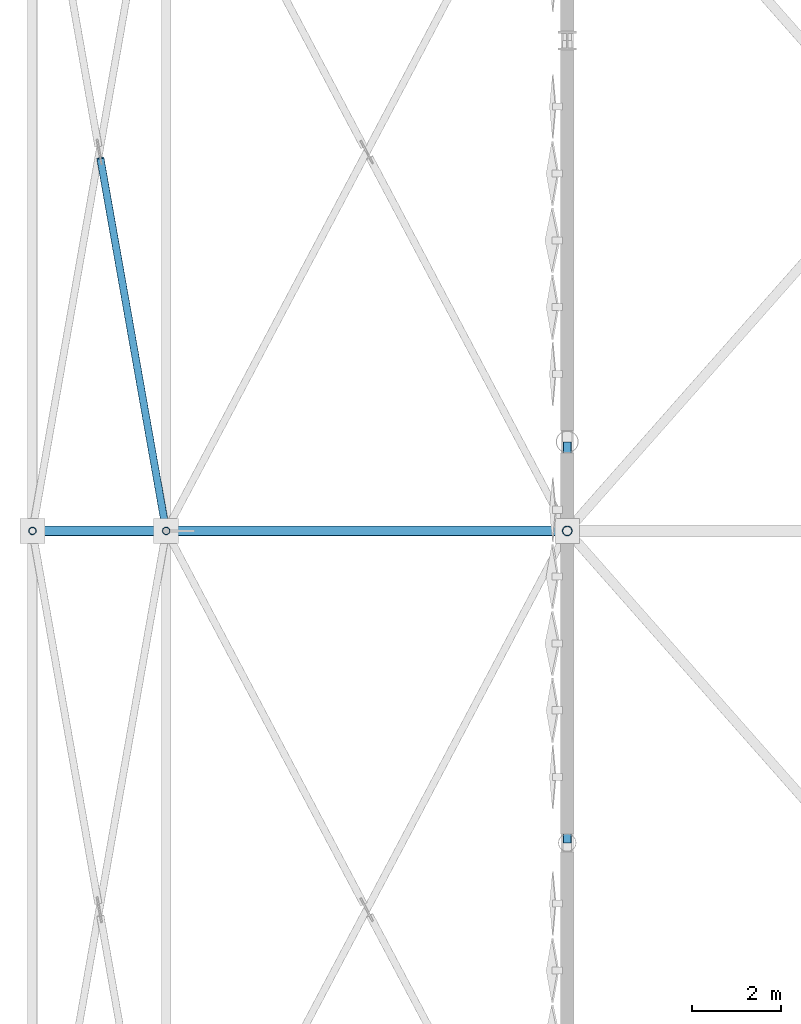
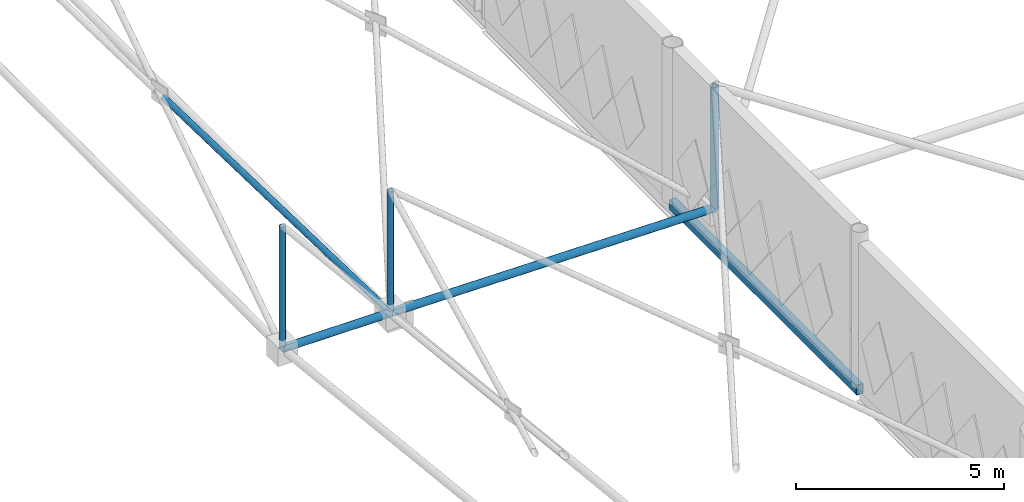
# One storey, part 33 of 224: 6 members, 1 beam.
"""IFC4 building model written with IfcOpenShell, lengths in metres."""

import ifcopenshell
import ifcopenshell.guid

model = None  # the IFC model being written
_history = None  # IfcOwnerHistory: only IFC2X3 demands one
_inside = {}  # id of a spatial element -> (the spatial element, [elements in it])
_under = {}  # id of a project, library or spatial element -> (it, [spatial elements below it])
_declared = {}  # id of a project -> (the project, [libraries it declares])
_typed = {}  # id of a type object -> (the type object, [elements of that type])
_made_of = {}  # id of a material, layer set ... -> (it, [elements and type objects made of it])


def new_model(schema):
    """Start an empty IFC model of exactly this schema.

    Asked for "IFC4X3", IfcOpenShell would pick the latest addendum, in which some entities
    have other attributes; the version numbers below select the first issue.
    IFC2X3 requires an IfcOwnerHistory on every rooted entity: one is made here for all.
    """
    global model, _history
    if schema == "IFC4X3":
        model = ifcopenshell.file(schema_version=(4, 3, 0, 0))
    else:
        model = ifcopenshell.file(schema=schema)
    _inside.clear()
    _under.clear()
    _declared.clear()
    _typed.clear()
    _made_of.clear()
    _history = None
    if model.schema == "IFC2X3":
        org = make("IfcOrganization", Name="unknown")
        user = make(
            "IfcPersonAndOrganization",
            ThePerson=make("IfcPerson", FamilyName="unknown"),
            TheOrganization=org,
        )
        app = make(
            "IfcApplication",
            ApplicationDeveloper=org,
            Version="unknown",
            ApplicationFullName="unknown",
            ApplicationIdentifier="unknown",
        )
        _history = make(
            "IfcOwnerHistory",
            OwningUser=user,
            OwningApplication=app,
            ChangeAction="ADDED",
            CreationDate=0,
        )
    return model


def make(cls, **values):
    """One entity of the class cls with the attributes given. An attribute that is None is left unset."""
    return model.create_entity(
        cls, **{name: value for name, value in values.items() if value is not None}
    )


def rooted(cls, **values):
    """An entity with a GlobalId (a new one), such as an element, a storey or a relation."""
    return make(cls, GlobalId=ifcopenshell.guid.new(), OwnerHistory=_history, **values)


def si_unit(unit_type, name, prefix=None):
    """IfcSIUnit, for example si_unit("LENGTHUNIT", "METRE", prefix="MILLI")."""
    return make("IfcSIUnit", UnitType=unit_type, Prefix=prefix, Name=name)


def assignment(units):
    """IfcUnitAssignment: the units of a project."""
    return None if units is None else make("IfcUnitAssignment", Units=units)


def point(xyz):
    """IfcCartesianPoint."""
    return None if xyz is None else make("IfcCartesianPoint", Coordinates=xyz)


def direction(xyz):
    """IfcDirection."""
    return None if xyz is None else make("IfcDirection", DirectionRatios=xyz)


def frame(location, z_axis=None, x_axis=None):
    """IfcAxis2Placement3D, a coordinate frame: its origin and axes. An axis left out is left unset."""
    return make(
        "IfcAxis2Placement3D",
        Location=point(location),
        Axis=direction(z_axis),
        RefDirection=direction(x_axis),
    )


def frame_2d(location, x_axis=None):
    """IfcAxis2Placement2D, a coordinate frame in the plane: its origin and x axis."""
    return make(
        "IfcAxis2Placement2D", Location=point(location), RefDirection=direction(x_axis)
    )


def origin():
    """The frame at (0, 0, 0) with its axes left unset."""
    return frame((0.0, 0.0, 0.0))


def origin_2d():
    """The frame at (0, 0) in the plane with its x axis left unset."""
    return frame_2d((0.0, 0.0))


def place(relative_to, where):
    """IfcLocalPlacement: puts the frame where relative to a parent placement (None: the world)."""
    return make(
        "IfcLocalPlacement", PlacementRelTo=relative_to, RelativePlacement=where
    )


def context(
    kind, dimensions, precision=None, world=None, true_north=None, identifier=None
):
    """IfcGeometricRepresentationContext, for example the 3D "Model" context."""
    return make(
        "IfcGeometricRepresentationContext",
        ContextIdentifier=identifier,
        ContextType=kind,
        CoordinateSpaceDimension=dimensions,
        Precision=precision,
        WorldCoordinateSystem=world,
        TrueNorth=true_north,
    )


def subcontext(parent, identifier, kind, view, scale=None):
    """IfcGeometricRepresentationSubContext, for example "Body" below "Model"."""
    return make(
        "IfcGeometricRepresentationSubContext",
        ContextIdentifier=identifier,
        ContextType=kind,
        ParentContext=parent,
        TargetScale=scale,
        TargetView=view,
    )


def project(units=None, contexts=None):
    """IfcProject with its units and contexts."""
    return rooted(
        "IfcProject",
        Name="project",
        RepresentationContexts=contexts,
        UnitsInContext=assignment(units),
    )


def spatial(cls, under=None, at=None, **own):
    """A site, building, storey or space (cls), placed at a placement, below another one or the project."""
    s = rooted(cls, ObjectPlacement=at, **own)
    if under is not None:
        _under.setdefault(under.id(), (under, []))[1].append(s)
    return s


def profile(cls, at=None, kind="AREA", **sizes):
    """A parametric profile (cls). Its sizes go by their IFC names, for example OverallWidth=200.0."""
    return make(cls, ProfileType=kind, Position=at, **sizes)


def hollow_rectangle(**sizes):
    """IfcRectangleHollowProfileDef."""
    return profile("IfcRectangleHollowProfileDef", **sizes)


def hollow_circle(**sizes):
    """IfcCircleHollowProfileDef."""
    return profile("IfcCircleHollowProfileDef", **sizes)


def extrude(swept, where, along, depth):
    """IfcExtrudedAreaSolid: the profile swept, set in the frame where, extruded along a direction by depth."""
    return make(
        "IfcExtrudedAreaSolid",
        SweptArea=swept,
        Position=where,
        ExtrudedDirection=direction(along),
        Depth=depth,
    )


def shape(context_of_items, identifier, shape_type, items):
    """IfcShapeRepresentation: the items that make up one representation, for example the "Body"."""
    return make(
        "IfcShapeRepresentation",
        ContextOfItems=context_of_items,
        RepresentationIdentifier=identifier,
        RepresentationType=shape_type,
        Items=items,
    )


def material(Name=None, Category=None):
    """IfcMaterial."""
    return make("IfcMaterial", Name=Name, Category=Category)


def material_profile(
    of_material, cross_section, Name=None, Category=None, Priority=None
):
    """IfcMaterialProfile: a cross section and its material."""
    return make(
        "IfcMaterialProfile",
        Name=Name,
        Material=of_material,
        Profile=cross_section,
        Priority=Priority,
        Category=Category,
    )


def profile_set(profiles, Name=None, composite=None):
    """IfcMaterialProfileSet."""
    return make(
        "IfcMaterialProfileSet",
        Name=Name,
        MaterialProfiles=profiles,
        CompositeProfile=composite,
    )


def made_of(thing, what):
    """Note that an element or type object is made of a material, layer set ...; save() writes the relation."""
    if what is not None:
        _made_of.setdefault(what.id(), (what, []))[1].append(thing)
    return thing


def type_object(cls, material=None, **own):
    """A type object (cls), such as IfcWallType, which elements share."""
    return made_of(rooted(cls, **own), material)


def element(
    cls,
    number,
    at=None,
    inside=None,
    cuts=None,
    type_object=None,
    material=None,
    context=None,
    identifier="Body",
    shape_type=None,
    held_by="IfcProductDefinitionShape",
    body=None,
    shapes=None,
    **own,
):
    """One element of the class cls, such as IfcWall. Its Tag is "e" and its number.

    at: its placement. inside: the storey or other place that contains it. cuts: it is an
    opening in that element (IfcRelVoidsElement). A single representation is given by context,
    identifier, shape_type and body (its items); several are given by shapes. held_by: the class
    of the entity that holds the representations. save() writes the other relations.
    """
    e = rooted(cls, Tag="e%d" % number, ObjectPlacement=at, **own)
    if body is not None:
        shapes = [shape(context, identifier, shape_type, body)]
    if shapes is not None:
        e.Representation = make(held_by, Representations=shapes)
    if inside is not None:
        _inside.setdefault(inside.id(), (inside, []))[1].append(e)
    if cuts is not None:
        rooted(
            "IfcRelVoidsElement", RelatingBuildingElement=cuts, RelatedOpeningElement=e
        )
    if type_object is not None:
        _typed.setdefault(type_object.id(), (type_object, []))[1].append(e)
    return made_of(e, material)


def aggregate(whole, parts):
    """IfcRelAggregates: a whole, such as a stair, and the parts it consists of."""
    return rooted("IfcRelAggregates", RelatingObject=whole, RelatedObjects=parts)


def save(model, path):
    """Write the relations noted so far, then the file.

    IfcRelAggregates (storeys below a building ...), IfcRelContainedInSpatialStructure (elements
    in a storey), IfcRelDefinesByType, IfcRelAssociatesMaterial and IfcRelDeclares: one each for
    every whole, place, type object, material and project.
    """
    for whole, parts in _under.values():
        aggregate(whole, parts)
    for where, things in _inside.values():
        rooted(
            "IfcRelContainedInSpatialStructure",
            RelatedElements=things,
            RelatingStructure=where,
        )
    for kind, things in _typed.values():
        rooted("IfcRelDefinesByType", RelatedObjects=things, RelatingType=kind)
    for what, things in _made_of.values():
        rooted("IfcRelAssociatesMaterial", RelatedObjects=things, RelatingMaterial=what)
    for by, libraries in _declared.values():
        rooted("IfcRelDeclares", RelatingContext=by, RelatedDefinitions=libraries)
    model.write(path)


model = new_model("IFC4")

# Units and contexts
model_context = context("Model", 3, precision=1e-05, world=origin(), true_north=direction((0.0, 1.0)))
body_context = subcontext(model_context, "Body", "Model", "MODEL_VIEW")
ifc_project = project(units=[si_unit("LENGTHUNIT", "METRE"), si_unit("AREAUNIT", "SQUARE_METRE"), si_unit("VOLUMEUNIT", "CUBIC_METRE"), si_unit("PLANEANGLEUNIT", "RADIAN"), si_unit("MASSUNIT", "GRAM", prefix="KILO")], contexts=[model_context])

# Site, building, storey
site_placement = place(None, origin())
site = spatial("IfcSite", under=ifc_project, at=site_placement, CompositionType="ELEMENT")
building_placement = place(site_placement, origin())
building = spatial("IfcBuilding", under=site, at=building_placement, Name="Qamarlyn Nura Convention Centre", CompositionType="ELEMENT")
storey_placement = place(building_placement, frame((0.0, 0.0, 10.800048828125)))
storey = spatial("IfcBuildingStorey", under=building, at=storey_placement, Name="L02", CompositionType="ELEMENT", Elevation=10.800048828125)

# Beam
ifc_material_1 = material(Name="Steel ASTM A500 Grade C", Category="steel")
ifc_material_profile_1 = material_profile(ifc_material_1, hollow_rectangle(XDim=0.199951171875, YDim=0.300048828125, WallThickness=0.012451171875, InnerFilletRadius=0.012451171875, OuterFilletRadius=0.02490234375, at=origin_2d()), Name="HSS300X200X12.5")
ifc_profile_set_1 = profile_set([ifc_material_profile_1], Name="Steel ASTM A500 Grade C")
beam_type = type_object("IfcBeamType", Name="BM-SPAN-HSS", PredefinedType="SPANDREL", material=ifc_profile_set_1)
beam_placement = place(storey_placement, frame((0.0, 45.0, -0.150146484375), z_axis=(0.0, 1.0, 0.0), x_axis=(-1.0, 0.0, 0.0)))
element("IfcBeam", 1, at=beam_placement, inside=storey, type_object=beam_type, Name="L02 girder 1 F-G", PredefinedType="SPANDREL", context=body_context, shape_type="SweptSolid", body=[
    extrude(hollow_rectangle(XDim=0.199951171875, YDim=0.300048828125, WallThickness=0.012451171875, InnerFilletRadius=0.012451171875, OuterFilletRadius=0.02490234375, at=origin_2d()), origin(), (0.0, 0.0, 1.0), 9.0),
])

# Members
ifc_material_2 = material(Name="Pearl-white PVDF steel ASTM A500 Grade C", Category="steel")
ifc_material_profile_2 = material_profile(ifc_material_2, hollow_circle(Radius=0.109619140625, WallThickness=0.010009765625, at=origin_2d()), Name="CHS219.1X10")
ifc_profile_set_2 = profile_set([ifc_material_profile_2], Name="Pearl-white PVDF steel ASTM A500 Grade C")
member_type_1 = type_object("IfcMemberType", Name="SF-BC-EAVE", PredefinedType="CHORD", material=ifc_profile_set_2)
member_1_placement = place(storey_placement, frame((-12.0, 52.0, 1.0107421875), z_axis=(0.999998539689, 0.0, -0.001708981879), x_axis=(0.0, 1.0, 0.0)))
element("IfcMember", 2, at=member_1_placement, inside=storey, type_object=member_type_1, Name="ROOF TRUSS space frame bottom chord X0-4", PredefinedType="CHORD", context=body_context, shape_type="SweptSolid", body=[
    extrude(hollow_circle(Radius=0.109619140625, WallThickness=0.010009765625, at=origin_2d()), origin(), (0.0, 0.0, 1.0), 3.0),
])
member_2_placement = place(storey_placement, frame((-9.0, 52.0, 1.005615234375), z_axis=(0.999971155543, 0.0, -0.007595267023), x_axis=(0.0, 1.0, 0.0)))
element("IfcMember", 3, at=member_2_placement, inside=storey, type_object=member_type_1, Name="ROOF TRUSS space frame bottom chord X1-4", PredefinedType="CHORD", context=body_context, shape_type="SweptSolid", body=[
    extrude(hollow_circle(Radius=0.109619140625, WallThickness=0.010009765625, at=origin_2d()), origin(), (0.0, 0.0, 1.0), 9.000244140625),
])
ifc_material_profile_3 = material_profile(ifc_material_2, hollow_circle(Radius=0.109619140625, WallThickness=0.010009765625, at=origin_2d()), Name="CHS219.1X10")
ifc_profile_set_3 = profile_set([ifc_material_profile_3], Name="Pearl-white PVDF steel ASTM A500 Grade C")
member_type_2 = type_object("IfcMemberType", Name="SF-WEB-HVY", PredefinedType="BRACE", material=ifc_profile_set_3)
member_3_placement = place(storey_placement, frame((0.0, 52.0, 0.937255859375), z_axis=(0.0, 0.0, 1.0), x_axis=(1.0, 0.0, 0.0)))
element("IfcMember", 4, at=member_3_placement, inside=storey, type_object=member_type_2, Name="ROOF TRUSS space frame vertical 2-4", PredefinedType="BRACE", context=body_context, shape_type="SweptSolid", body=[
    extrude(hollow_circle(Radius=0.109619140625, WallThickness=0.010009765625, at=origin_2d()), origin(), (0.0, 0.0, 1.0), 3.60009765625),
])
ifc_material_profile_4 = material_profile(ifc_material_2, hollow_circle(Radius=0.084228515625, WallThickness=0.008056640625, at=origin_2d()), Name="CHS168.3X8")
ifc_profile_set_4 = profile_set([ifc_material_profile_4], Name="Pearl-white PVDF steel ASTM A500 Grade C")
member_type_3 = type_object("IfcMemberType", Name="SF-WEB-STD", PredefinedType="BRACE", material=ifc_profile_set_4)
member_4_placement = place(storey_placement, frame((-12.0, 52.0, 1.0107421875), z_axis=(0.0, 0.0, 1.0), x_axis=(1.0, 0.0, 0.0)))
element("IfcMember", 5, at=member_4_placement, inside=storey, type_object=member_type_3, Name="ROOF TRUSS space frame vertical 0-4", PredefinedType="BRACE", context=body_context, shape_type="SweptSolid", body=[
    extrude(hollow_circle(Radius=0.084228515625, WallThickness=0.008056640625, at=origin_2d()), origin(), (0.0, 0.0, 1.0), 3.599853515625),
])
member_5_placement = place(storey_placement, frame((-9.0, 52.0, 1.005615234375), z_axis=(-0.170131327634, 0.963983740486, 0.204427687546), x_axis=(-0.984780665211, -0.17380173022, 0.0)))
element("IfcMember", 6, at=member_5_placement, inside=storey, type_object=member_type_3, Name="ROOF TRUSS space frame split diagonal B1 0-4", PredefinedType="BRACE", context=body_context, shape_type="SweptSolid", body=[
    extrude(hollow_circle(Radius=0.084228515625, WallThickness=0.008056640625, at=origin_2d()), origin(), (0.0, 0.0, 1.0), 8.677490234375),
])
member_6_placement = place(storey_placement, frame((-9.0, 52.0, 1.005615234375), z_axis=(0.0, 0.0, 1.0), x_axis=(1.0, 0.0, 0.0)))
element("IfcMember", 7, at=member_6_placement, inside=storey, type_object=member_type_3, Name="ROOF TRUSS space frame vertical 1-4", PredefinedType="BRACE", context=body_context, shape_type="SweptSolid", body=[
    extrude(hollow_circle(Radius=0.084228515625, WallThickness=0.008056640625, at=origin_2d()), origin(), (0.0, 0.0, 1.0), 3.599853515625),
])

save(model, "model.ifc")
